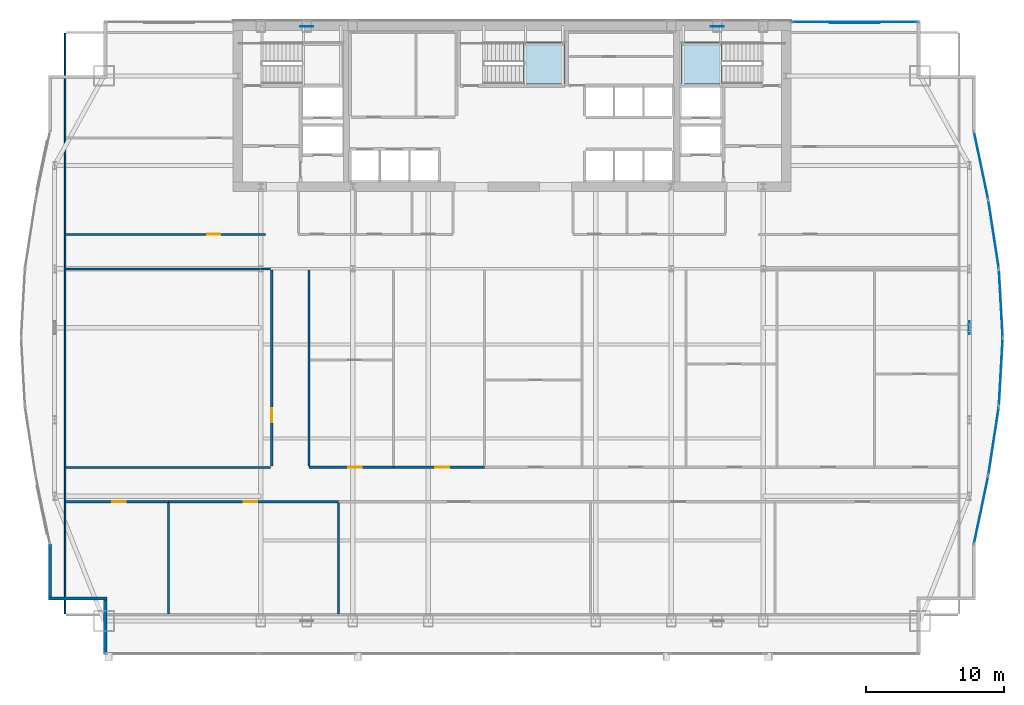
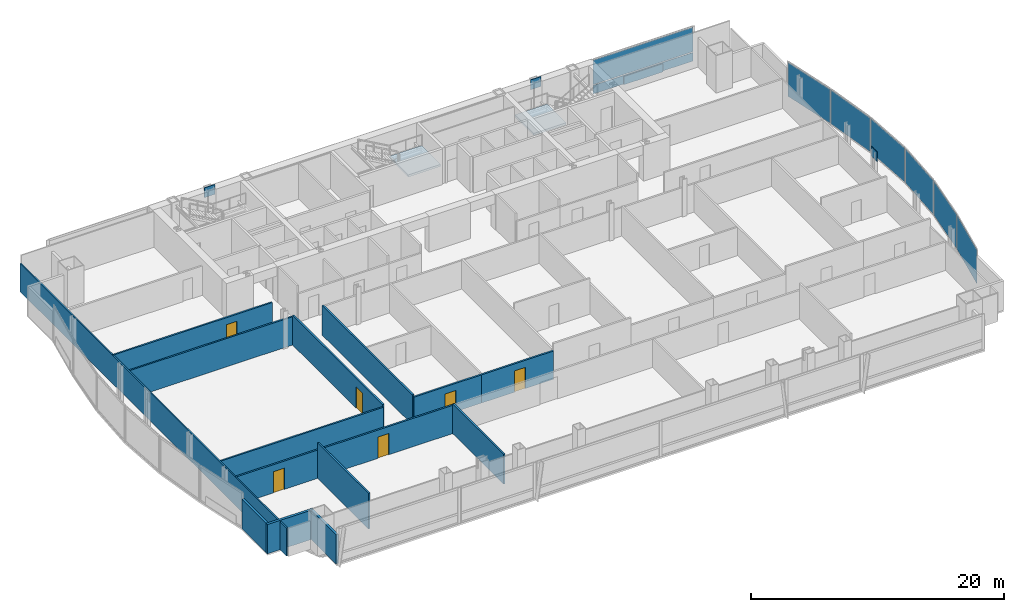
# One storey, part 27 of 33: 15 walls, 12 plates, 6 doors, 2 slabs, 6 openings, 9 elements without a shape of their own.
"""IFC4 building model written with IfcOpenShell, lengths in metres."""

from ifc_helpers import new_model, si_unit, direction, frame, frame_2d, origin, origin_2d, place, context, subcontext, project, spatial, polyline, rectangle, outline, extrude, material, layer, layer_set, type_object, element, fill, aggregate, save


model = new_model("IFC4")

# Units and contexts
model_context = context("Model", 3, precision=1e-05, world=origin(), true_north=direction((0.0, 1.0)))
body_context = subcontext(model_context, "Body", "Model", "MODEL_VIEW")
ifc_project = project(units=[si_unit("LENGTHUNIT", "METRE"), si_unit("AREAUNIT", "SQUARE_METRE"), si_unit("VOLUMEUNIT", "CUBIC_METRE"), si_unit("PLANEANGLEUNIT", "RADIAN"), si_unit("MASSUNIT", "GRAM", prefix="KILO")], contexts=[model_context])

# Site, building, storey
site_placement = place(None, origin())
site = spatial("IfcSite", under=ifc_project, at=site_placement, CompositionType="ELEMENT")
building_placement = place(site_placement, origin())
building = spatial("IfcBuilding", under=site, at=building_placement, Name="Khoronbel Lancet Exchange", CompositionType="ELEMENT")
storey_placement = place(building_placement, frame((0.0, 0.0, 114.60009765625)))
storey = spatial("IfcBuildingStorey", under=building, at=storey_placement, Name="L27", CompositionType="ELEMENT", Elevation=114.60009765625)

# Curtain wall, plate
ifc_material_1 = material(Name="Low-E Solar Control Insulating Glass", Category="glass")
curtain_wall_type_1 = type_object("IfcCurtainWallType", Name="CW-2", PredefinedType="NOTDEFINED", material=ifc_material_1)
curtain_wall_1_placement = place(storey_placement, origin())
curtain_wall_1 = element("IfcCurtainWall", 1, at=curtain_wall_1_placement, inside=storey, type_object=curtain_wall_type_1, Name="Unitised curtain wall CW-L27-NEFLK", PredefinedType="NOTDEFINED")
ifc_material_2 = material(Name="Bronze-Anodised Aluminium 6063-T6", Category="aluminium")
ifc_layer_1 = layer(ifc_material_2, 0.050048828125, Name="Bronze-Anodised Aluminium 6063-T6")
ifc_layer_set_1 = layer_set([ifc_layer_1], Name="Bronze-Anodised Aluminium 6063-T6")
plate_type_1 = type_object("IfcPlateType", Name="PLT-CSP1", PredefinedType="SHEET", material=ifc_layer_set_1)
plate_1_placement = place(storey_placement, frame((61.320068359375, 53.550048828125, 0.0498046875), z_axis=(0.0, 0.0, 1.0), x_axis=(-1.0, 0.0, 0.0)))
plate_1 = element("IfcPlate", 2, at=plate_1_placement, type_object=plate_type_1, Name="Insulated bronze spandrel cassette CW-L27-NEFLK", PredefinedType="SHEET", context=body_context, shape_type="SweptSolid", body=[
    extrude(rectangle(XDim=3.60009765625, YDim=0.050048828125, at=origin_2d()), origin(), (0.0, 0.0, 1.0), 0.800048828125),
])

curtain_wall_type_2 = type_object("IfcCurtainWallType", Name="CW-4", PredefinedType="NOTDEFINED", material=ifc_material_1)
curtain_wall_2_placement = place(storey_placement, origin())
curtain_wall_2 = element("IfcCurtainWall", 3, at=curtain_wall_2_placement, inside=storey, type_object=curtain_wall_type_2, Name="Unitised curtain wall CW-L27-E18", PredefinedType="NOTDEFINED")
plate_2_placement = place(storey_placement, frame((71.390869140625, 38.187255859375, 0.0849609375), z_axis=(0.0, 0.0, 1.0), x_axis=(0.151515699646, -0.988454851149, 0.0)))
plate_2 = element("IfcPlate", 4, at=plate_2_placement, type_object=plate_type_1, Name="CW4 panel 1.1", PredefinedType="CURTAIN_PANEL", context=body_context, shape_type="SweptSolid", body=[
    extrude(rectangle(XDim=4.901611328125, YDim=0.0380859375, at=origin_2d()), origin(), (0.0, 0.0, 1.0), 3.27001953125),
])
aggregate(curtain_wall_2, [plate_2])

curtain_wall_3_placement = place(storey_placement, origin())
curtain_wall_3 = element("IfcCurtainWall", 5, at=curtain_wall_3_placement, inside=storey, type_object=curtain_wall_type_2, Name="Unitised curtain wall CW-L27-E19", PredefinedType="NOTDEFINED")
plate_3_placement = place(storey_placement, frame((71.91357421875, 33.1953125, 0.0849609375), z_axis=(0.0, 0.0, 1.0), x_axis=(0.056017381128, -0.998429793732, 0.0)))
plate_3 = element("IfcPlate", 6, at=plate_3_placement, type_object=plate_type_1, Name="CW4 panel 1.1", PredefinedType="CURTAIN_PANEL", context=body_context, shape_type="SweptSolid", body=[
    extrude(rectangle(XDim=4.848388671875, YDim=0.0380859375, at=origin_2d()), origin(), (0.0, 0.0, 1.0), 3.27001953125),
])
aggregate(curtain_wall_3, [plate_3])

curtain_wall_4_placement = place(storey_placement, origin())
curtain_wall_4 = element("IfcCurtainWall", 7, at=curtain_wall_4_placement, inside=storey, type_object=curtain_wall_type_2, Name="Unitised curtain wall CW-L27-E20", PredefinedType="NOTDEFINED")
plate_4_placement = place(storey_placement, frame((71.91357421875, 28.20458984375, 0.0849609375), z_axis=(0.0, 0.0, 1.0), x_axis=(-0.056017381128, -0.998429793732, 0.0)))
plate_4 = element("IfcPlate", 8, at=plate_4_placement, type_object=plate_type_1, Name="CW4 panel 1.1", PredefinedType="CURTAIN_PANEL", context=body_context, shape_type="SweptSolid", body=[
    extrude(rectangle(XDim=4.848388671875, YDim=0.0380859375, at=origin_2d()), origin(), (0.0, 0.0, 1.0), 3.27001953125),
])
aggregate(curtain_wall_4, [plate_4])

curtain_wall_5_placement = place(storey_placement, origin())
curtain_wall_5 = element("IfcCurtainWall", 9, at=curtain_wall_5_placement, inside=storey, type_object=curtain_wall_type_2, Name="Unitised curtain wall CW-L27-E21", PredefinedType="NOTDEFINED")
plate_5_placement = place(storey_placement, frame((71.390869140625, 23.212646484375, 0.0849609375), z_axis=(0.0, 0.0, 1.0), x_axis=(-0.151515699646, -0.988454851149, 0.0)))
plate_5 = element("IfcPlate", 10, at=plate_5_placement, type_object=plate_type_1, Name="CW4 panel 1.1", PredefinedType="CURTAIN_PANEL", context=body_context, shape_type="SweptSolid", body=[
    extrude(rectangle(XDim=4.901611328125, YDim=0.0380859375, at=origin_2d()), origin(), (0.0, 0.0, 1.0), 3.27001953125),
])
aggregate(curtain_wall_5, [plate_5])

# Plate
ifc_layer_2 = layer(ifc_material_1, 0.035888671875, Name="Low-E Solar Control Insulating Glass")
ifc_layer_set_2 = layer_set([ifc_layer_2], Name="Low-E Solar Control Insulating Glass")
plate_type_2 = type_object("IfcPlateType", Name="PLT-CWP1", PredefinedType="CURTAIN_PANEL", material=ifc_layer_set_2)
plate_6_placement = place(storey_placement, frame((61.320068359375, 53.610107421875, 0.0849609375), z_axis=(0.0, 0.0, 1.0), x_axis=(-1.0, 0.0, 0.0)))
plate_6 = element("IfcPlate", 11, at=plate_6_placement, type_object=plate_type_2, Name="CW2 panel 1.1", PredefinedType="CURTAIN_PANEL", context=body_context, shape_type="SweptSolid", body=[
    extrude(rectangle(XDim=9.110107421875, YDim=0.0380859375, at=origin_2d()), origin(), (0.0, 0.0, 1.0), 0.822509765625),
])

plate_7_placement = place(storey_placement, frame((61.320068359375, 53.610107421875, 0.9921875), z_axis=(0.0, 0.0, 1.0), x_axis=(-1.0, 0.0, 0.0)))
plate_7 = element("IfcPlate", 12, at=plate_7_placement, type_object=plate_type_2, Name="CW2 panel 1.2", PredefinedType="CURTAIN_PANEL", context=body_context, shape_type="SweptSolid", body=[
    extrude(rectangle(XDim=9.110107421875, YDim=0.0380859375, at=origin_2d()), origin(), (0.0, 0.0, 1.0), 2.362548828125),
])

aggregate(curtain_wall_1, [plate_6, plate_7, plate_1])

# Curtain wall, plate
curtain_wall_6_placement = place(storey_placement, origin())
curtain_wall_6 = element("IfcCurtainWall", 13, at=curtain_wall_6_placement, inside=storey, type_object=curtain_wall_type_2, Name="Unitised curtain wall CW-L27-E17", PredefinedType="NOTDEFINED")
ifc_material_3 = material(Name="Ceramic-Fritted Laminated Insulating Glass", Category="glass")
ifc_layer_3 = layer(ifc_material_3, 0.0419921875, Name="Ceramic-Fritted Laminated Insulating Glass")
ifc_layer_set_3 = layer_set([ifc_layer_3], Name="Ceramic-Fritted Laminated Insulating Glass")
plate_type_3 = type_object("IfcPlateType", Name="PLT-CWP2", PredefinedType="CURTAIN_PANEL", material=ifc_layer_set_3)
plate_8_placement = place(storey_placement, frame((70.484130859375, 43.187255859375, 0.0849609375), z_axis=(0.0, 0.0, 1.0), x_axis=(0.204912806344, -0.978780231613, 0.0)))
plate_8 = element("IfcPlate", 14, at=plate_8_placement, type_object=plate_type_3, Name="CW4 panel 1.1", PredefinedType="CURTAIN_PANEL", context=body_context, shape_type="SweptSolid", body=[
    extrude(rectangle(XDim=4.96533203125, YDim=0.0380859375, at=origin_2d()), origin(), (0.0, 0.0, 1.0), 3.27001953125),
])
aggregate(curtain_wall_6, [plate_8])

curtain_wall_7_placement = place(storey_placement, origin())
curtain_wall_7 = element("IfcCurtainWall", 15, at=curtain_wall_7_placement, inside=storey, type_object=curtain_wall_type_2, Name="Unitised curtain wall CW-L27-E22", PredefinedType="NOTDEFINED")
plate_9_placement = place(storey_placement, frame((70.484130859375, 18.212646484375, 0.0849609375), z_axis=(0.0, 0.0, 1.0), x_axis=(-0.204912806344, -0.978780231613, 0.0)))
plate_9 = element("IfcPlate", 16, at=plate_9_placement, type_object=plate_type_3, Name="CW4 panel 1.1", PredefinedType="CURTAIN_PANEL", context=body_context, shape_type="SweptSolid", body=[
    extrude(rectangle(XDim=4.96533203125, YDim=0.0380859375, at=origin_2d()), origin(), (0.0, 0.0, 1.0), 3.27001953125),
])
aggregate(curtain_wall_7, [plate_9])

# Plates
ifc_material_4 = material(Name="Steel S460", Category="steel")
ifc_layer_4 = layer(ifc_material_4, 0.06005859375, Name="Steel S460")
ifc_layer_set_4 = layer_set([ifc_layer_4], Name="Steel S460")
plate_type_4 = type_object("IfcPlateType", Name="PLT-ND1", PredefinedType="USERDEFINED", material=ifc_layer_set_4)
for number, where, z_axis, x_axis, name in (
    (17, (21.5625, 53.280029296875, 2.77490234375), (0.0, 0.0, 1.0), (1.0, 0.0, 0.0), "ND1 perimeter brace node gusset T08-N-W"),
    (18, (51.33740234375, 53.280029296875, 2.77490234375), (0.0, 0.0, 1.0), (1.0, 0.0, 0.0), "ND1 perimeter brace node gusset T08-N-E"),
    (19, (69.6298828125, 31.425048828125, 2.77490234375), (0.0, 0.0, 1.0), (0.0, 1.0, 0.0), "ND1 perimeter brace node gusset T08-E-P"),
):
    element("IfcPlate", number, at=place(storey_placement, frame(where, z_axis=z_axis, x_axis=x_axis)), inside=storey, type_object=plate_type_4, Name=name, ObjectType="GUSSET_PLATE", PredefinedType="USERDEFINED", context=body_context, shape_type="SweptSolid", body=[
        extrude(rectangle(XDim=0.949951171875, YDim=0.06005859375, at=origin_2d()), origin(), (0.0, 0.0, 1.0), 0.949951171875),
    ])

# Stair, slab
ifc_material_5 = material(Name="Concrete C40/50", Category="concrete")
stair_type = type_object("IfcStairType", Name="STR-CORE150", PredefinedType="HALF_TURN_STAIR", material=ifc_material_5)
stair_1_placement = place(storey_placement, origin())
stair_1 = element("IfcStair", 20, at=stair_1_placement, inside=storey, type_object=stair_type, Name="L27 Protected Exit Stair ST2", PredefinedType="HALF_TURN_STAIR")
ifc_layer_5 = layer(ifc_material_5, 0.199951171875, Name="Concrete C40/50")
ifc_layer_set_5 = layer_set([ifc_layer_5], Name="Concrete C40/50")
slab_type = type_object("IfcSlabType", Name="SL-LND180", PredefinedType="LANDING", material=ifc_layer_set_5)
slab_1_placement = place(storey_placement, frame((0.0, 0.0, 1.599853515625)))
slab_1 = element("IfcSlab", 21, at=slab_1_placement, type_object=slab_type, Name="ST2 landing 1", PredefinedType="LANDING", context=body_context, shape_type="SweptSolid", body=[
    extrude(outline(polyline([(51.699951171875, 52.10009765625), (48.75, 52.10009765625), (48.75, 49.1201171875), (51.699951171875, 49.1201171875), (51.699951171875, 52.10009765625)])), origin(), (0.0, 0.0, 1.0), 0.199951171875),
])
aggregate(stair_1, [slab_1])

stair_2_placement = place(storey_placement, origin())
stair_2 = element("IfcStair", 22, at=stair_2_placement, inside=storey, type_object=stair_type, Name="L27 Protected Exit Stair ST3", PredefinedType="HALF_TURN_STAIR")
slab_2_placement = place(storey_placement, frame((0.0, 0.0, 1.599853515625)))
slab_2 = element("IfcSlab", 23, at=slab_2_placement, type_object=slab_type, Name="ST3 landing 1", PredefinedType="LANDING", context=body_context, shape_type="SweptSolid", body=[
    extrude(outline(polyline([(37.300048828125, 49.1201171875), (40.25, 49.1201171875), (40.25, 52.10009765625), (37.300048828125, 52.10009765625), (37.300048828125, 49.1201171875)])), origin(), (0.0, 0.0, 1.0), 0.199951171875),
])
aggregate(stair_2, [slab_2])

# Walls
ifc_material_6 = material(Name="Precast concrete C40/50", Category="concrete")
ifc_layer_6 = layer(ifc_material_6, 0.25, Name="Precast concrete C40/50")
ifc_layer_set_6 = layer_set([ifc_layer_6], Name="Precast concrete C40/50")
wall_type_1 = type_object("IfcWallType", Name="WL-EXT250", PredefinedType="SOLIDWALL", material=ifc_layer_set_6)
wall_1_placement = place(storey_placement, frame((6.93994140625, 7.77001953125, 0.0), z_axis=(0.0, 0.0, 1.0), x_axis=(0.0, 1.0, 0.0)))
element("IfcWall", 24, at=wall_1_placement, inside=storey, type_object=wall_type_1, Name="Level L27 notched-corner limestone pier 01", PredefinedType="SOLIDWALL", context=body_context, shape_type="SweptSolid", body=[
    extrude(rectangle(XDim=3.909912109375, YDim=0.219970703125, at=frame_2d((1.955078125, 0.0))), origin(), (0.0, 0.0, 1.0), 2.829833984375),
])
wall_2_placement = place(storey_placement, frame((7.050048828125, 11.7900390625, 0.0), z_axis=(0.0, 0.0, 1.0), x_axis=(-1.0, 0.0, 0.0)))
element("IfcWall", 25, at=wall_2_placement, inside=storey, type_object=wall_type_1, Name="Level L27 notched-corner limestone pier 02", PredefinedType="SOLIDWALL", context=body_context, shape_type="SweptSolid", body=[
    extrude(rectangle(XDim=4.219970703125, YDim=0.219970703125, at=frame_2d((2.10986328125, 0.0))), origin(), (0.0, 0.0, 1.0), 2.829833984375),
])
wall_3_placement = place(storey_placement, frame((2.93994140625, 11.89990234375, 0.0), z_axis=(0.0, 0.0, 1.0), x_axis=(0.0, 1.0, 0.0)))
element("IfcWall", 26, at=wall_3_placement, inside=storey, type_object=wall_type_1, Name="Level L27 notched-corner limestone pier 03", PredefinedType="SOLIDWALL", context=body_context, shape_type="SweptSolid", body=[
    extrude(rectangle(XDim=3.829345703125, YDim=0.219970703125, at=frame_2d((1.91455078125, 0.0))), origin(), (0.0, 0.0, 1.0), 2.829833984375),
])
ifc_material_7 = material(Name="Acoustic Metal-Stud & Mineral-Wool Gypsum Partition 120 mm", Category="gypsum")
ifc_layer_7 = layer(ifc_material_7, 0.1201171875, Name="Acoustic Metal-Stud & Mineral-Wool Gypsum Partition 120 mm")
ifc_layer_set_7 = layer_set([ifc_layer_7], Name="Acoustic Metal-Stud & Mineral-Wool Gypsum Partition 120 mm")
wall_type_2 = type_object("IfcWallType", Name="WL-PRT120", PredefinedType="PARTITIONING", material=ifc_layer_set_7)
wall_4_placement = place(storey_placement, frame((4.030029296875, 10.6650390625, 0.0), z_axis=(0.0, 0.0, 1.0), x_axis=(0.0, 1.0, 0.0)))
element("IfcWall", 27, at=wall_4_placement, inside=storey, type_object=wall_type_2, Name="Level L27 interior partition PW-LIN-W", PredefinedType="PARTITIONING", context=body_context, shape_type="SweptSolid", body=[
    extrude(rectangle(XDim=42.10986328125, YDim=0.1201171875, at=frame_2d((21.054931640625, 0.0))), origin(), (0.0, 0.0, 1.0), 2.72998046875),
])

# Wall, opening, door
ifc_material_8 = material(Name="Fire-Rated Twin-Stud Acoustic Gypsum Partition 150 mm", Category="gypsum")
ifc_layer_8 = layer(ifc_material_8, 0.14990234375, Name="Fire-Rated Twin-Stud Acoustic Gypsum Partition 150 mm")
ifc_layer_set_8 = layer_set([ifc_layer_8], Name="Fire-Rated Twin-Stud Acoustic Gypsum Partition 150 mm")
wall_type_3 = type_object("IfcWallType", Name="WL-PRT150C", PredefinedType="PARTITIONING", material=ifc_layer_set_8)
wall_5_placement = place(storey_placement, frame((4.030029296875, 38.199951171875, 0.0), z_axis=(0.0, 0.0, 1.0), x_axis=(1.0, 0.0, 0.0)))
wall_5 = element("IfcWall", 28, at=wall_5_placement, inside=storey, type_object=wall_type_3, Name="Level L27 interior partition PW-NW-S", PredefinedType="PARTITIONING", context=body_context, shape_type="SweptSolid", body=[
    extrude(rectangle(XDim=14.52001953125, YDim=0.14990234375, at=frame_2d((7.260009765625, 0.0))), origin(), (0.0, 0.0, 1.0), 2.72998046875),
])
opening_1_placement = place(wall_5_placement, frame((10.320068359375, 0.0, 0.0)))
opening_1 = element("IfcOpeningElement", 29, at=opening_1_placement, cuts=wall_5, Name="Opening D1", PredefinedType="OPENING", context=body_context, shape_type="SweptSolid", body=[
    extrude(rectangle(XDim=0.949951171875, YDim=2.050048828125, at=frame_2d((0.47509765625, 1.02490234375))), frame((0.0, 0.0849609375, 0.0), z_axis=(0.0, -1.0, 0.0), x_axis=(1.0, 0.0, 0.0)), (0.0, 0.0, 1.0), 0.169921875),
])
ifc_material_9 = material(Name="Acoustic Veneered Timber & Bronze Frame Door", Category="wood")
door_type_1 = type_object("IfcDoorType", Name="DR-D1", OperationType="NOTDEFINED", PredefinedType="DOOR", material=ifc_material_9)
door_1_placement = place(opening_1_placement, origin())
door_1 = element("IfcDoor", 30, at=door_1_placement, inside=storey, type_object=door_type_1, Name="NW corner room door L27-1", OperationType="SINGLE_SWING_RIGHT", OverallHeight=2.050048828125, OverallWidth=0.949951171875, PredefinedType="DOOR", context=body_context, shape_type="SweptSolid", body=[
    extrude(rectangle(XDim=0.949951171875, YDim=2.050048828125, at=frame_2d((0.47509765625, 1.02490234375))), frame((0.0, 0.02490234375, 0.0), z_axis=(0.0, -1.0, 0.0), x_axis=(1.0, 0.0, 0.0)), (0.0, 0.0, 1.0), 0.050048828125),
])
fill(opening_1, door_1)

# Walls
wall_6_placement = place(storey_placement, frame((11.54150390625, 10.6650390625, 0.0), z_axis=(0.0, 0.0, 1.0), x_axis=(0.0, 1.0, 0.0)))
element("IfcWall", 31, at=wall_6_placement, inside=storey, type_object=wall_type_3, Name="Level L27 interior partition PW-Z2S-V1", PredefinedType="PARTITIONING", context=body_context, shape_type="SweptSolid", body=[
    extrude(rectangle(XDim=8.050048828125, YDim=0.14990234375, at=frame_2d((4.02490234375, 0.0))), origin(), (0.0, 0.0, 1.0), 3.43994140625),
])
wall_7_placement = place(storey_placement, frame((23.87841796875, 10.6650390625, 0.0), z_axis=(0.0, 0.0, 1.0), x_axis=(0.0, 1.0, 0.0)))
element("IfcWall", 32, at=wall_7_placement, inside=storey, type_object=wall_type_3, Name="Level L27 interior partition PW-Z2S-V2", PredefinedType="PARTITIONING", context=body_context, shape_type="SweptSolid", body=[
    extrude(rectangle(XDim=8.050048828125, YDim=0.14990234375, at=frame_2d((4.02490234375, 0.0))), origin(), (0.0, 0.0, 1.0), 2.8798828125),
])

# Wall, opening, door
wall_8_placement = place(storey_placement, frame((19.02001953125, 21.3798828125, 0.0), z_axis=(0.0, 0.0, 1.0), x_axis=(0.0, 1.0, 0.0)))
wall_8 = element("IfcWall", 33, at=wall_8_placement, inside=storey, type_object=wall_type_3, Name="Level L27 interior partition PW-Z2-WLK", PredefinedType="PARTITIONING", context=body_context, shape_type="SweptSolid", body=[
    extrude(rectangle(XDim=14.240234375, YDim=0.14990234375, at=frame_2d((7.1201171875, 0.0))), origin(), (0.0, 0.0, 1.0), 2.8798828125),
])
opening_2_placement = place(wall_8_placement, frame((3.199951171875, 0.0, 0.0)))
opening_2 = element("IfcOpeningElement", 34, at=opening_2_placement, cuts=wall_8, Name="Opening D2", PredefinedType="OPENING", context=body_context, shape_type="SweptSolid", body=[
    extrude(rectangle(XDim=1.0, YDim=2.050048828125, at=frame_2d((0.5, 1.02490234375))), frame((0.0, 0.0849609375, 0.0), z_axis=(0.0, -1.0, 0.0), x_axis=(1.0, 0.0, 0.0)), (0.0, 0.0, 1.0), 0.169921875),
])
door_type_2 = type_object("IfcDoorType", Name="DR-D2", OperationType="NOTDEFINED", PredefinedType="DOOR", material=ifc_material_9)
door_2_placement = place(opening_2_placement, origin())
door_2 = element("IfcDoor", 35, at=door_2_placement, inside=storey, type_object=door_type_2, Name="West mid-band room door L27-1", OperationType="SINGLE_SWING_RIGHT", OverallHeight=2.050048828125, OverallWidth=1.0, PredefinedType="DOOR", context=body_context, shape_type="SweptSolid", body=[
    extrude(rectangle(XDim=1.0, YDim=2.050048828125, at=frame_2d((0.5, 1.02490234375))), frame((0.0, 0.02490234375, 0.0), z_axis=(0.0, -1.0, 0.0), x_axis=(1.0, 0.0, 0.0)), (0.0, 0.0, 1.0), 0.050048828125),
])
fill(opening_2, door_2)

# Walls
for number, where, z_axis, x_axis, name in (
    (36, (4.094970703125, 21.300048828125, 0.0), (0.0, 0.0, 1.0), (1.0, 0.0, 0.0), "Level L27 interior partition PW-Z2-WS"),
    (37, (4.094970703125, 35.699951171875, 0.0), (0.0, 0.0, 1.0), (1.0, 0.0, 0.0), "Level L27 interior partition PW-Z2-WN"),
):
    element("IfcWall", number, at=place(storey_placement, frame(where, z_axis=z_axis, x_axis=x_axis)), inside=storey, type_object=wall_type_3, Name=name, PredefinedType="PARTITIONING", context=body_context, shape_type="SweptSolid", body=[
        extrude(rectangle(XDim=14.844970703125, YDim=0.14990234375, at=frame_2d((7.42236328125, 0.0))), origin(), (0.0, 0.0, 1.0), 2.72998046875),
    ])
wall_9_placement = place(storey_placement, frame((21.72998046875, 21.385009765625, 0.0), z_axis=(0.0, 0.0, 1.0), x_axis=(0.0, 1.0, 0.0)))
element("IfcWall", 38, at=wall_9_placement, inside=storey, type_object=wall_type_3, Name="Level L27 interior partition PW-Z2-ELK", PredefinedType="PARTITIONING", context=body_context, shape_type="SweptSolid", body=[
    extrude(rectangle(XDim=14.235107421875, YDim=0.14990234375, at=frame_2d((7.11767578125, 0.0))), origin(), (0.0, 0.0, 1.0), 2.8798828125),
])

# Wall, opening, door
ifc_material_10 = material(Name="Fire-Rated Twin-Stud Acoustic Gypsum Partition 160 mm", Category="gypsum")
ifc_layer_9 = layer(ifc_material_10, 0.159912109375, Name="Fire-Rated Twin-Stud Acoustic Gypsum Partition 160 mm")
ifc_layer_set_9 = layer_set([ifc_layer_9], Name="Fire-Rated Twin-Stud Acoustic Gypsum Partition 160 mm")
wall_type_4 = type_object("IfcWallType", Name="WL-PRT160C", PredefinedType="PARTITIONING", material=ifc_layer_set_9)
wall_10_placement = place(storey_placement, frame((4.030029296875, 18.800048828125, 0.0), z_axis=(0.0, 0.0, 1.0), x_axis=(1.0, 0.0, 0.0)))
wall_10 = element("IfcWall", 39, at=wall_10_placement, inside=storey, type_object=wall_type_4, Name="Level L27 interior partition PW-Z2S-COR1", PredefinedType="PARTITIONING", context=body_context, shape_type="SweptSolid", body=[
    extrude(rectangle(XDim=7.511474609375, YDim=0.159912109375, at=frame_2d((3.755859375, 0.0))), origin(), (0.0, 0.0, 1.0), 2.72998046875),
])
opening_3_placement = place(wall_10_placement, frame((3.40478515625, 0.0, 0.0)))
opening_3 = element("IfcOpeningElement", 40, at=opening_3_placement, cuts=wall_10, Name="Opening D2", PredefinedType="OPENING", context=body_context, shape_type="SweptSolid", body=[
    extrude(rectangle(XDim=1.0, YDim=2.050048828125, at=frame_2d((0.5, 1.02490234375))), frame((0.0, 0.08984375, 0.0), z_axis=(0.0, -1.0, 0.0), x_axis=(1.0, 0.0, 0.0)), (0.0, 0.0, 1.0), 0.179931640625),
])
door_3_placement = place(opening_3_placement, origin())
door_3 = element("IfcDoor", 41, at=door_3_placement, inside=storey, type_object=door_type_2, Name="Z2S bay 1 door L27-1", OperationType="SINGLE_SWING_RIGHT", OverallHeight=2.050048828125, OverallWidth=1.0, PredefinedType="DOOR", context=body_context, shape_type="SweptSolid", body=[
    extrude(rectangle(XDim=1.0, YDim=2.050048828125, at=frame_2d((0.5, 1.02490234375))), frame((0.0, 0.02490234375, 0.0), z_axis=(0.0, -1.0, 0.0), x_axis=(1.0, 0.0, 0.0)), (0.0, 0.0, 1.0), 0.050048828125),
])
fill(opening_3, door_3)

wall_11_placement = place(storey_placement, frame((11.54150390625, 18.800048828125, 0.0), z_axis=(0.0, 0.0, 1.0), x_axis=(1.0, 0.0, 0.0)))
wall_11 = element("IfcWall", 42, at=wall_11_placement, inside=storey, type_object=wall_type_4, Name="Level L27 interior partition PW-Z2S-COR2", PredefinedType="PARTITIONING", context=body_context, shape_type="SweptSolid", body=[
    extrude(rectangle(XDim=12.3369140625, YDim=0.159912109375, at=frame_2d((6.16845703125, 0.0))), origin(), (0.0, 0.0, 1.0), 2.72998046875),
])
opening_4_placement = place(wall_11_placement, frame((5.431396484375, 0.0, 0.0)))
opening_4 = element("IfcOpeningElement", 43, at=opening_4_placement, cuts=wall_11, Name="Opening D2", PredefinedType="OPENING", context=body_context, shape_type="SweptSolid", body=[
    extrude(rectangle(XDim=1.0, YDim=2.050048828125, at=frame_2d((0.5, 1.02490234375))), frame((0.0, 0.08984375, 0.0), z_axis=(0.0, -1.0, 0.0), x_axis=(1.0, 0.0, 0.0)), (0.0, 0.0, 1.0), 0.179931640625),
])
door_4_placement = place(opening_4_placement, origin())
door_4 = element("IfcDoor", 44, at=door_4_placement, inside=storey, type_object=door_type_2, Name="Z2S bay 2 door L27-1", OperationType="SINGLE_SWING_LEFT", OverallHeight=2.050048828125, OverallWidth=1.0, PredefinedType="DOOR", context=body_context, shape_type="SweptSolid", body=[
    extrude(rectangle(XDim=1.0, YDim=2.050048828125, at=frame_2d((0.5, 1.02490234375))), frame((0.0, 0.02490234375, 0.0), z_axis=(0.0, -1.0, 0.0), x_axis=(1.0, 0.0, 0.0)), (0.0, 0.0, 1.0), 0.050048828125),
])
fill(opening_4, door_4)

wall_12_placement = place(storey_placement, frame((21.72998046875, 21.300048828125, 0.0), z_axis=(0.0, 0.0, 1.0), x_axis=(1.0, 0.0, 0.0)))
wall_12 = element("IfcWall", 45, at=wall_12_placement, inside=storey, type_object=wall_type_4, Name="Level L27 interior partition PW-Z2N-COR1", PredefinedType="PARTITIONING", context=body_context, shape_type="SweptSolid", body=[
    extrude(rectangle(XDim=6.128173828125, YDim=0.159912109375, at=frame_2d((3.06396484375, 0.0))), origin(), (0.0, 0.0, 1.0), 2.72998046875),
])
opening_5_placement = place(wall_12_placement, frame((2.82373046875, 0.0, 0.0)))
opening_5 = element("IfcOpeningElement", 46, at=opening_5_placement, cuts=wall_12, Name="Opening D2", PredefinedType="OPENING", context=body_context, shape_type="SweptSolid", body=[
    extrude(rectangle(XDim=1.0, YDim=2.050048828125, at=frame_2d((0.5, 1.02490234375))), frame((0.0, 0.08984375, 0.0), z_axis=(0.0, -1.0, 0.0), x_axis=(1.0, 0.0, 0.0)), (0.0, 0.0, 1.0), 0.179931640625),
])
door_5_placement = place(opening_5_placement, origin())
door_5 = element("IfcDoor", 47, at=door_5_placement, inside=storey, type_object=door_type_2, Name="Z2N bay 1 door L27-1", OperationType="SINGLE_SWING_LEFT", OverallHeight=2.050048828125, OverallWidth=1.0, PredefinedType="DOOR", context=body_context, shape_type="SweptSolid", body=[
    extrude(rectangle(XDim=1.0, YDim=2.050048828125, at=frame_2d((0.5, 1.02490234375))), frame((0.0, 0.02490234375, 0.0), z_axis=(0.0, -1.0, 0.0), x_axis=(1.0, 0.0, 0.0)), (0.0, 0.0, 1.0), 0.050048828125),
])
fill(opening_5, door_5)

wall_13_placement = place(storey_placement, frame((27.858154296875, 21.300048828125, 0.0), z_axis=(0.0, 0.0, 1.0), x_axis=(1.0, 0.0, 0.0)))
wall_13 = element("IfcWall", 48, at=wall_13_placement, inside=storey, type_object=wall_type_4, Name="Level L27 interior partition PW-Z2N-COR2", PredefinedType="PARTITIONING", context=body_context, shape_type="SweptSolid", body=[
    extrude(rectangle(XDim=6.599609375, YDim=0.159912109375, at=frame_2d((3.2998046875, 0.0))), origin(), (0.0, 0.0, 1.0), 2.72998046875),
])
opening_6_placement = place(wall_13_placement, frame((3.021728515625, 0.0, 0.0)))
opening_6 = element("IfcOpeningElement", 49, at=opening_6_placement, cuts=wall_13, Name="Opening D2", PredefinedType="OPENING", context=body_context, shape_type="SweptSolid", body=[
    extrude(rectangle(XDim=1.0, YDim=2.050048828125, at=frame_2d((0.5, 1.02490234375))), frame((0.0, 0.08984375, 0.0), z_axis=(0.0, -1.0, 0.0), x_axis=(1.0, 0.0, 0.0)), (0.0, 0.0, 1.0), 0.179931640625),
])
door_6_placement = place(opening_6_placement, origin())
door_6 = element("IfcDoor", 50, at=door_6_placement, inside=storey, type_object=door_type_2, Name="Z2N bay 2 door L27-1", OperationType="SINGLE_SWING_LEFT", OverallHeight=2.050048828125, OverallWidth=1.0, PredefinedType="DOOR", context=body_context, shape_type="SweptSolid", body=[
    extrude(rectangle(XDim=1.0, YDim=2.050048828125, at=frame_2d((0.5, 1.02490234375))), frame((0.0, 0.02490234375, 0.0), z_axis=(0.0, -1.0, 0.0), x_axis=(1.0, 0.0, 0.0)), (0.0, 0.0, 1.0), 0.050048828125),
])
fill(opening_6, door_6)

save(model, "model.ifc")
